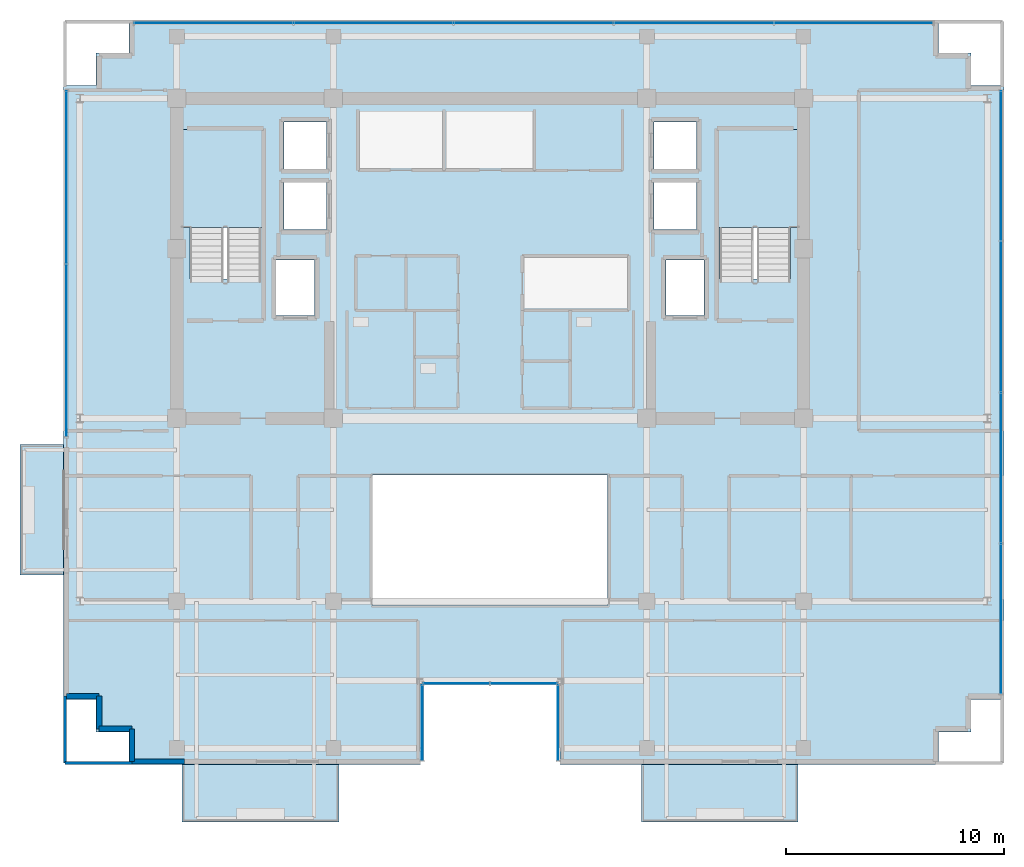
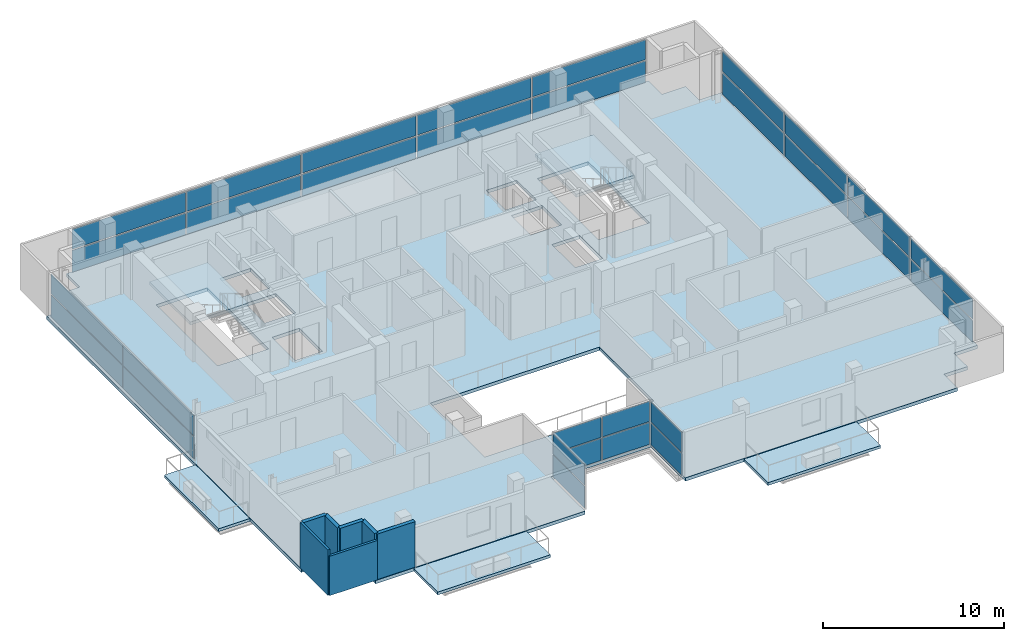
# One storey, part 14 of 21: 30 plates, 7 walls, 6 slabs, 8 elements without a shape of their own.
"""IFC4 building model written with IfcOpenShell, lengths in metres."""

from ifc_helpers import new_model, si_unit, direction, frame, frame_2d, origin, origin_2d, place, context, subcontext, project, spatial, polyline, rectangle, outline, extrude, source, transform, mapped, material, layer, layer_set, type_object, element, aggregate, save


model = new_model("IFC4")

# Units and contexts
model_context = context("Model", 3, precision=1e-05, world=origin(), true_north=direction((0.0, 1.0)))
body_context = subcontext(model_context, "Body", "Model", "MODEL_VIEW")
ifc_project = project(units=[si_unit("LENGTHUNIT", "METRE"), si_unit("AREAUNIT", "SQUARE_METRE"), si_unit("VOLUMEUNIT", "CUBIC_METRE"), si_unit("PLANEANGLEUNIT", "RADIAN"), si_unit("MASSUNIT", "GRAM", prefix="KILO")], contexts=[model_context])

# Site, building, storey
site_placement = place(None, origin())
site = spatial("IfcSite", under=ifc_project, at=site_placement, CompositionType="ELEMENT")
building_placement = place(site_placement, origin())
building = spatial("IfcBuilding", under=site, at=building_placement, Name="Zarnakvel Exchange Tower", CompositionType="ELEMENT")
storey_placement = place(building_placement, frame((0.0, 0.0, 241.89990234375)))
storey = spatial("IfcBuildingStorey", under=building, at=storey_placement, Name="L68", CompositionType="ELEMENT", Elevation=241.89990234375)

# Stair, slab
ifc_material_1 = material(Name="Concrete C40/50", Category="concrete")
stair_type = type_object("IfcStairType", Name="STR-01", PredefinedType="HALF_TURN_STAIR", material=ifc_material_1)
stair_1_placement = place(storey_placement, origin())
stair_1 = element("IfcStair", 1, at=stair_1_placement, inside=storey, type_object=stair_type, Name="L68 Protected Core Exit Stair ST-01", PredefinedType="HALF_TURN_STAIR")
ifc_layer_1 = layer(ifc_material_1, 0.199951171875)
ifc_layer_set_1 = layer_set([ifc_layer_1], Name="Concrete C40/50")
slab_type_1 = type_object("IfcSlabType", Name="LDG-01", PredefinedType="LANDING", material=ifc_layer_set_1)
slab_1_placement = place(storey_placement, frame((0.0, 0.0, 1.4501953125)))
slab_1 = element("IfcSlab", 2, at=slab_1_placement, type_object=slab_type_1, Name="ST-01 landing 1", PredefinedType="LANDING", context=body_context, shape_type="SweptSolid", body=[
    extrude(outline(polyline([(-14.18994140625, 7.570068359375), (-10.4599609375, 7.570068359375), (-10.4599609375, 12.080078125), (-14.18994140625, 12.080078125), (-14.18994140625, 7.570068359375)])), origin(), (0.0, 0.0, 1.0), 0.199951171875),
])
aggregate(stair_1, [slab_1])

stair_2_placement = place(storey_placement, origin())
stair_2 = element("IfcStair", 3, at=stair_2_placement, inside=storey, type_object=stair_type, Name="L68 Protected Core Exit Stair ST-02", PredefinedType="HALF_TURN_STAIR")
slab_2_placement = place(storey_placement, frame((0.0, 0.0, 1.4501953125)))
slab_2 = element("IfcSlab", 4, at=slab_2_placement, type_object=slab_type_1, Name="ST-02 landing 1", PredefinedType="LANDING", context=body_context, shape_type="SweptSolid", body=[
    extrude(outline(polyline([(10.4599609375, 7.570068359375), (14.18994140625, 7.570068359375), (14.18994140625, 12.080078125), (10.4599609375, 12.080078125), (10.4599609375, 7.570068359375)])), origin(), (0.0, 0.0, 1.0), 0.199951171875),
])
aggregate(stair_2, [slab_2])

# Slabs
ifc_layer_2 = layer(ifc_material_1, 0.22509765625)
ifc_layer_set_2 = layer_set([ifc_layer_2], Name="Concrete C40/50")
slab_type_2 = type_object("IfcSlabType", Name="SL-04", PredefinedType="FLOOR", material=ifc_layer_set_2)
slab_3_placement = place(storey_placement, frame((0.0, 0.0, -0.224853515625)))
element("IfcSlab", 5, at=slab_3_placement, inside=storey, type_object=slab_type_2, Name="L68 Primary Structural Floor Slab", PredefinedType="FLOOR", context=body_context, shape_type="SweptSolid", body=[
    extrude(outline(polyline([(-19.60009765625, -14.10009765625), (-18.10009765625, -14.10009765625), (-18.10009765625, -15.60009765625), (-16.60009765625, -15.60009765625), (-16.60009765625, -17.10009765625), (-3.199951171875, -17.10009765625), (-3.199951171875, -13.300048828125), (3.199951171875, -13.300048828125), (3.199951171875, -17.10009765625), (20.60009765625, -17.10009765625), (20.60009765625, -15.60009765625), (22.10009765625, -15.60009765625), (22.10009765625, -14.10009765625), (23.60009765625, -14.10009765625), (23.60009765625, 14.10009765625), (22.10009765625, 14.10009765625), (22.10009765625, 15.60009765625), (20.60009765625, 15.60009765625), (20.60009765625, 17.10009765625), (-16.60009765625, 17.10009765625), (-16.60009765625, 15.60009765625), (-18.10009765625, 15.60009765625), (-18.10009765625, 14.10009765625), (-19.60009765625, 14.10009765625), (-19.60009765625, -14.10009765625)]), holes=[polyline([(-5.39990234375, -9.800048828125), (5.39990234375, -9.800048828125), (5.39990234375, -3.800048828125), (-5.39990234375, -3.800048828125), (-5.39990234375, -9.800048828125)]), polyline([(-13.800048828125, 5.2099609375), (-10.5400390625, 5.2099609375), (-10.5400390625, 12.0), (-13.800048828125, 12.0), (-13.800048828125, 5.2099609375)]), polyline([(10.5400390625, 5.2099609375), (13.800048828125, 5.2099609375), (13.800048828125, 12.0), (10.5400390625, 12.0), (10.5400390625, 5.2099609375)]), polyline([(-9.830078125, 3.52001953125), (-8.070068359375, 3.52001953125), (-8.070068359375, 6.080078125), (-9.830078125, 6.080078125), (-9.830078125, 3.52001953125)]), polyline([(8.070068359375, 3.52001953125), (9.830078125, 3.52001953125), (9.830078125, 6.080078125), (8.070068359375, 6.080078125), (8.070068359375, 3.52001953125)]), polyline([(-9.47998046875, 7.469970703125), (-7.52001953125, 7.469970703125), (-7.52001953125, 9.6298828125), (-9.47998046875, 9.6298828125), (-9.47998046875, 7.469970703125)]), polyline([(-9.47998046875, 10.27001953125), (-7.52001953125, 10.27001953125), (-7.52001953125, 12.429931640625), (-9.47998046875, 12.429931640625), (-9.47998046875, 10.27001953125)]), polyline([(7.52001953125, 7.469970703125), (9.47998046875, 7.469970703125), (9.47998046875, 9.6298828125), (7.52001953125, 9.6298828125), (7.52001953125, 7.469970703125)]), polyline([(7.52001953125, 10.27001953125), (9.47998046875, 10.27001953125), (9.47998046875, 12.429931640625), (7.52001953125, 12.429931640625), (7.52001953125, 10.27001953125)])]), origin(), (0.0, 0.0, 1.0), 0.224853515625),
])
ifc_layer_3 = layer(ifc_material_1, 0.18994140625)
ifc_layer_set_3 = layer_set([ifc_layer_3], Name="Concrete C40/50")
slab_type_3 = type_object("IfcSlabType", Name="SL-08", PredefinedType="USERDEFINED", material=ifc_layer_set_3)
slab_4_placement = place(storey_placement, frame((0.0, 0.0, -0.224853515625)))
element("IfcSlab", 6, at=slab_4_placement, inside=storey, type_object=slab_type_3, Name="L68 Planted Loggia Balcony Slab BAL-L68-SW", ObjectType="BALCONY", PredefinedType="USERDEFINED", context=body_context, shape_type="SweptSolid", body=[
    extrude(outline(polyline([(-14.14990234375, -19.75), (-6.949951171875, -19.75), (-6.949951171875, -17.10009765625), (-14.14990234375, -17.10009765625), (-14.14990234375, -19.75)])), origin(), (0.0, 0.0, 1.0), 0.18994140625),
])
slab_5_placement = place(storey_placement, frame((0.0, 0.0, -0.224853515625)))
element("IfcSlab", 7, at=slab_5_placement, inside=storey, type_object=slab_type_3, Name="L68 Planted Loggia Balcony Slab BAL-L68-SE", ObjectType="BALCONY", PredefinedType="USERDEFINED", context=body_context, shape_type="SweptSolid", body=[
    extrude(outline(polyline([(6.949951171875, -19.75), (14.14990234375, -19.75), (14.14990234375, -17.10009765625), (6.949951171875, -17.10009765625), (6.949951171875, -19.75)])), origin(), (0.0, 0.0, 1.0), 0.18994140625),
])
slab_6_placement = place(storey_placement, frame((0.0, 0.0, -0.224853515625)))
element("IfcSlab", 8, at=slab_6_placement, inside=storey, type_object=slab_type_3, Name="L68 Planted Loggia Balcony Slab BAL-L68-W", ObjectType="BALCONY", PredefinedType="USERDEFINED", context=body_context, shape_type="SweptSolid", body=[
    extrude(outline(polyline([(-21.60009765625, -8.39990234375), (-19.60009765625, -8.39990234375), (-19.60009765625, -2.39990234375), (-21.60009765625, -2.39990234375), (-21.60009765625, -8.39990234375)])), origin(), (0.0, 0.0, 1.0), 0.18994140625),
])

# Curtain wall, plate
ifc_material_2 = material(Name="Architectural Bronze Anodised Aluminium", Category="aluminium")
ifc_layer_4 = layer(ifc_material_2, 0.179931640625)
ifc_layer_set_4 = layer_set([ifc_layer_4], Name="Architectural Bronze Anodised Aluminium")
curtain_wall_type_1 = type_object("IfcCurtainWallType", Name="CW-05", PredefinedType="NOTDEFINED", material=ifc_layer_set_4)
curtain_wall_1_placement = place(storey_placement, origin())
curtain_wall_1 = element("IfcCurtainWall", 9, at=curtain_wall_1_placement, inside=storey, type_object=curtain_wall_type_1, Name="L68 Curtain Wall CW-L68-SLW (CW-05)", PredefinedType="NOTDEFINED")
ifc_material_3 = material(Name="Double Low-E Laminated Vision Glass", Category="glass")
ifc_layer_5 = layer(ifc_material_3, 0.02587890625)
ifc_layer_set_5 = layer_set([ifc_layer_5], Name="Double Low-E Laminated Vision Glass")
plate_type_1 = type_object("IfcPlateType", Name="CWP-05", PredefinedType="CURTAIN_PANEL", material=ifc_layer_set_5)
shared_shape_1 = source(origin(), body_context, "Body", "SweptSolid", [
    extrude(rectangle(XDim=3.4599609375, YDim=0.02587890625, at=origin_2d()), origin(), (0.0, 0.0, 1.0), 1.483642578125),
])
plate_1_placement = place(storey_placement, frame((-3.1201171875, -15.179931640625, 0.0703125), z_axis=(0.0, 0.0, 1.0), x_axis=(0.0, 1.0, 0.0)))
plate_1 = element("IfcPlate", 10, at=plate_1_placement, type_object=plate_type_1, Name="CW-05 panel 1.1", PredefinedType="CURTAIN_PANEL", context=body_context, shape_type="MappedRepresentation", body=[
    mapped(shared_shape_1, transform((0.0, 0.0, 0.0), x_axis=(1.0, 0.0, 0.0), y_axis=(0.0, 1.0, 0.0), z_axis=(0.0, 0.0, 1.0), scale=1.0)),
])

curtain_wall_2_placement = place(storey_placement, origin())
curtain_wall_2 = element("IfcCurtainWall", 11, at=curtain_wall_2_placement, inside=storey, type_object=curtain_wall_type_1, Name="L68 Curtain Wall CW-L68-SLE (CW-05)", PredefinedType="NOTDEFINED")
plate_2_placement = place(storey_placement, frame((3.1201171875, -15.179931640625, 0.0703125), z_axis=(0.0, 0.0, 1.0), x_axis=(0.0, -1.0, 0.0)))
plate_2 = element("IfcPlate", 12, at=plate_2_placement, type_object=plate_type_1, Name="CW-05 panel 1.1", PredefinedType="CURTAIN_PANEL", context=body_context, shape_type="MappedRepresentation", body=[
    mapped(shared_shape_1, transform((0.0, 0.0, 0.0), x_axis=(1.0, 0.0, 0.0), y_axis=(0.0, 1.0, 0.0), z_axis=(0.0, 0.0, 1.0), scale=1.0)),
])

# Plate
shared_shape_2 = source(origin(), body_context, "Body", "SweptSolid", [
    extrude(rectangle(XDim=3.4599609375, YDim=0.02587890625, at=origin_2d()), origin(), (0.0, 0.0, 1.0), 1.361328125),
])
plate_3_placement = place(storey_placement, frame((-3.1201171875, -15.179931640625, 1.623779296875), z_axis=(0.0, 0.0, 1.0), x_axis=(0.0, 1.0, 0.0)))
plate_3 = element("IfcPlate", 13, at=plate_3_placement, type_object=plate_type_1, Name="CW-05 panel 1.2", PredefinedType="CURTAIN_PANEL", context=body_context, shape_type="MappedRepresentation", body=[
    mapped(shared_shape_2, transform((0.0, 0.0, 0.0), x_axis=(1.0, 0.0, 0.0), y_axis=(0.0, 1.0, 0.0), z_axis=(0.0, 0.0, 1.0), scale=1.0)),
])

aggregate(curtain_wall_1, [plate_1, plate_3])

plate_4_placement = place(storey_placement, frame((3.1201171875, -15.179931640625, 1.623779296875), z_axis=(0.0, 0.0, 1.0), x_axis=(0.0, -1.0, 0.0)))
plate_4 = element("IfcPlate", 14, at=plate_4_placement, type_object=plate_type_1, Name="CW-05 panel 1.2", PredefinedType="CURTAIN_PANEL", context=body_context, shape_type="MappedRepresentation", body=[
    mapped(shared_shape_2, transform((0.0, 0.0, 0.0), x_axis=(1.0, 0.0, 0.0), y_axis=(0.0, 1.0, 0.0), z_axis=(0.0, 0.0, 1.0), scale=1.0)),
])

aggregate(curtain_wall_2, [plate_2, plate_4])

# Curtain wall, plates
curtain_wall_3_placement = place(storey_placement, origin())
curtain_wall_3 = element("IfcCurtainWall", 15, at=curtain_wall_3_placement, inside=storey, type_object=curtain_wall_type_1, Name="L68 Curtain Wall CW-L68-SLB (CW-05)", PredefinedType="NOTDEFINED")
shared_shape_3 = source(origin(), body_context, "Body", "SweptSolid", [
    extrude(rectangle(XDim=3.014892578125, YDim=0.02587890625, at=origin_2d()), origin(), (0.0, 0.0, 1.0), 1.483642578125),
])
plate_5_placement = place(storey_placement, frame((-1.54248046875, -13.3798828125, 0.0703125), z_axis=(0.0, 0.0, 1.0), x_axis=(1.0, 0.0, 0.0)))
plate_5 = element("IfcPlate", 16, at=plate_5_placement, type_object=plate_type_1, Name="CW-05 panel 1.1", PredefinedType="CURTAIN_PANEL", context=body_context, shape_type="MappedRepresentation", body=[
    mapped(shared_shape_3, transform((0.0, 0.0, 0.0), x_axis=(1.0, 0.0, 0.0), y_axis=(0.0, 1.0, 0.0), z_axis=(0.0, 0.0, 1.0), scale=1.0)),
])
plate_6_placement = place(storey_placement, frame((1.54248046875, -13.3798828125, 0.0703125), z_axis=(0.0, 0.0, 1.0), x_axis=(1.0, 0.0, 0.0)))
plate_6 = element("IfcPlate", 17, at=plate_6_placement, type_object=plate_type_1, Name="CW-05 panel 2.1", PredefinedType="CURTAIN_PANEL", context=body_context, shape_type="MappedRepresentation", body=[
    mapped(shared_shape_3, transform((0.0, 0.0, 0.0), x_axis=(1.0, 0.0, 0.0), y_axis=(0.0, 1.0, 0.0), z_axis=(0.0, 0.0, 1.0), scale=1.0)),
])
shared_shape_4 = source(origin(), body_context, "Body", "SweptSolid", [
    extrude(rectangle(XDim=3.014892578125, YDim=0.02587890625, at=origin_2d()), origin(), (0.0, 0.0, 1.0), 1.361328125),
])
plate_7_placement = place(storey_placement, frame((-1.54248046875, -13.3798828125, 1.623779296875), z_axis=(0.0, 0.0, 1.0), x_axis=(1.0, 0.0, 0.0)))
plate_7 = element("IfcPlate", 18, at=plate_7_placement, type_object=plate_type_1, Name="CW-05 panel 1.2", PredefinedType="CURTAIN_PANEL", context=body_context, shape_type="MappedRepresentation", body=[
    mapped(shared_shape_4, transform((0.0, 0.0, 0.0), x_axis=(1.0, 0.0, 0.0), y_axis=(0.0, 1.0, 0.0), z_axis=(0.0, 0.0, 1.0), scale=1.0)),
])
plate_8_placement = place(storey_placement, frame((1.54248046875, -13.3798828125, 1.623779296875), z_axis=(0.0, 0.0, 1.0), x_axis=(1.0, 0.0, 0.0)))
plate_8 = element("IfcPlate", 19, at=plate_8_placement, type_object=plate_type_1, Name="CW-05 panel 2.2", PredefinedType="CURTAIN_PANEL", context=body_context, shape_type="MappedRepresentation", body=[
    mapped(shared_shape_4, transform((0.0, 0.0, 0.0), x_axis=(1.0, 0.0, 0.0), y_axis=(0.0, 1.0, 0.0), z_axis=(0.0, 0.0, 1.0), scale=1.0)),
])
aggregate(curtain_wall_3, [plate_5, plate_7, plate_6, plate_8])

ifc_layer_6 = layer(ifc_material_2, 0.199951171875)
ifc_layer_set_6 = layer_set([ifc_layer_6], Name="Architectural Bronze Anodised Aluminium")
curtain_wall_type_2 = type_object("IfcCurtainWallType", Name="CW-04", PredefinedType="NOTDEFINED", material=ifc_layer_set_6)
curtain_wall_4_placement = place(storey_placement, origin())
curtain_wall_4 = element("IfcCurtainWall", 20, at=curtain_wall_4_placement, inside=storey, type_object=curtain_wall_type_2, Name="L68 Curtain Wall CW-L68-E1 (CW-04)", PredefinedType="NOTDEFINED")
ifc_layer_7 = layer(ifc_material_3, 0.028076171875)
ifc_layer_set_7 = layer_set([ifc_layer_7], Name="Double Low-E Laminated Vision Glass")
plate_type_2 = type_object("IfcPlateType", Name="CWP-04", PredefinedType="CURTAIN_PANEL", material=ifc_layer_set_7)
shared_shape_5 = source(origin(), body_context, "Body", "SweptSolid", [
    extrude(rectangle(XDim=6.83740234375, YDim=0.028076171875, at=origin_2d()), origin(), (0.0, 0.0, 1.0), 1.47607421875),
])
plate_9_placement = place(storey_placement, frame((23.4599609375, -10.40625, 0.0751953125), z_axis=(0.0, 0.0, 1.0), x_axis=(0.0, 1.0, 0.0)))
plate_9 = element("IfcPlate", 21, at=plate_9_placement, type_object=plate_type_2, Name="CW-04 panel 1.1", PredefinedType="CURTAIN_PANEL", context=body_context, shape_type="MappedRepresentation", body=[
    mapped(shared_shape_5, transform((0.0, 0.0, 0.0), x_axis=(1.0, 0.0, 0.0), y_axis=(0.0, 1.0, 0.0), z_axis=(0.0, 0.0, 1.0), scale=1.0)),
])
plate_10_placement = place(storey_placement, frame((23.4599609375, 10.40625, 0.0751953125), z_axis=(0.0, 0.0, 1.0), x_axis=(0.0, 1.0, 0.0)))
plate_10 = element("IfcPlate", 22, at=plate_10_placement, type_object=plate_type_2, Name="CW-04 panel 4.1", PredefinedType="CURTAIN_PANEL", context=body_context, shape_type="MappedRepresentation", body=[
    mapped(shared_shape_5, transform((0.0, 0.0, 0.0), x_axis=(1.0, 0.0, 0.0), y_axis=(0.0, 1.0, 0.0), z_axis=(0.0, 0.0, 1.0), scale=1.0)),
])
shared_shape_6 = source(origin(), body_context, "Body", "SweptSolid", [
    extrude(rectangle(XDim=6.83740234375, YDim=0.028076171875, at=origin_2d()), origin(), (0.0, 0.0, 1.0), 1.35400390625),
])
plate_11_placement = place(storey_placement, frame((23.4599609375, -10.40625, 1.626220703125), z_axis=(0.0, 0.0, 1.0), x_axis=(0.0, 1.0, 0.0)))
plate_11 = element("IfcPlate", 23, at=plate_11_placement, type_object=plate_type_2, Name="CW-04 panel 1.2", PredefinedType="CURTAIN_PANEL", context=body_context, shape_type="MappedRepresentation", body=[
    mapped(shared_shape_6, transform((0.0, 0.0, 0.0), x_axis=(1.0, 0.0, 0.0), y_axis=(0.0, 1.0, 0.0), z_axis=(0.0, 0.0, 1.0), scale=1.0)),
])
plate_12_placement = place(storey_placement, frame((23.4599609375, 10.40625, 1.626220703125), z_axis=(0.0, 0.0, 1.0), x_axis=(0.0, 1.0, 0.0)))
plate_12 = element("IfcPlate", 24, at=plate_12_placement, type_object=plate_type_2, Name="CW-04 panel 4.2", PredefinedType="CURTAIN_PANEL", context=body_context, shape_type="MappedRepresentation", body=[
    mapped(shared_shape_6, transform((0.0, 0.0, 0.0), x_axis=(1.0, 0.0, 0.0), y_axis=(0.0, 1.0, 0.0), z_axis=(0.0, 0.0, 1.0), scale=1.0)),
])
shared_shape_7 = source(origin(), body_context, "Body", "SweptSolid", [
    extrude(rectangle(XDim=6.875, YDim=0.028076171875, at=origin_2d()), origin(), (0.0, 0.0, 1.0), 1.47607421875),
])
plate_13_placement = place(storey_placement, frame((23.4599609375, -3.47509765625, 0.0751953125), z_axis=(0.0, 0.0, 1.0), x_axis=(0.0, 1.0, 0.0)))
plate_13 = element("IfcPlate", 25, at=plate_13_placement, type_object=plate_type_2, Name="CW-04 panel 2.1", PredefinedType="CURTAIN_PANEL", context=body_context, shape_type="MappedRepresentation", body=[
    mapped(shared_shape_7, transform((0.0, 0.0, 0.0), x_axis=(1.0, 0.0, 0.0), y_axis=(0.0, 1.0, 0.0), z_axis=(0.0, 0.0, 1.0), scale=1.0)),
])
plate_14_placement = place(storey_placement, frame((23.4599609375, 3.47509765625, 0.0751953125), z_axis=(0.0, 0.0, 1.0), x_axis=(0.0, 1.0, 0.0)))
plate_14 = element("IfcPlate", 26, at=plate_14_placement, type_object=plate_type_2, Name="CW-04 panel 3.1", PredefinedType="CURTAIN_PANEL", context=body_context, shape_type="MappedRepresentation", body=[
    mapped(shared_shape_7, transform((0.0, 0.0, 0.0), x_axis=(1.0, 0.0, 0.0), y_axis=(0.0, 1.0, 0.0), z_axis=(0.0, 0.0, 1.0), scale=1.0)),
])
shared_shape_8 = source(origin(), body_context, "Body", "SweptSolid", [
    extrude(rectangle(XDim=6.875, YDim=0.028076171875, at=origin_2d()), origin(), (0.0, 0.0, 1.0), 1.35400390625),
])
plate_15_placement = place(storey_placement, frame((23.4599609375, -3.47509765625, 1.626220703125), z_axis=(0.0, 0.0, 1.0), x_axis=(0.0, 1.0, 0.0)))
plate_15 = element("IfcPlate", 27, at=plate_15_placement, type_object=plate_type_2, Name="CW-04 panel 2.2", PredefinedType="CURTAIN_PANEL", context=body_context, shape_type="MappedRepresentation", body=[
    mapped(shared_shape_8, transform((0.0, 0.0, 0.0), x_axis=(1.0, 0.0, 0.0), y_axis=(0.0, 1.0, 0.0), z_axis=(0.0, 0.0, 1.0), scale=1.0)),
])
plate_16_placement = place(storey_placement, frame((23.4599609375, 3.47509765625, 1.626220703125), z_axis=(0.0, 0.0, 1.0), x_axis=(0.0, 1.0, 0.0)))
plate_16 = element("IfcPlate", 28, at=plate_16_placement, type_object=plate_type_2, Name="CW-04 panel 3.2", PredefinedType="CURTAIN_PANEL", context=body_context, shape_type="MappedRepresentation", body=[
    mapped(shared_shape_8, transform((0.0, 0.0, 0.0), x_axis=(1.0, 0.0, 0.0), y_axis=(0.0, 1.0, 0.0), z_axis=(0.0, 0.0, 1.0), scale=1.0)),
])
aggregate(curtain_wall_4, [plate_9, plate_11, plate_13, plate_15, plate_14, plate_16, plate_10, plate_12])

curtain_wall_5_placement = place(storey_placement, origin())
curtain_wall_5 = element("IfcCurtainWall", 29, at=curtain_wall_5_placement, inside=storey, type_object=curtain_wall_type_2, Name="L68 Curtain Wall CW-L68-WN (CW-04)", PredefinedType="NOTDEFINED")
shared_shape_9 = source(origin(), body_context, "Body", "SweptSolid", [
    extrude(rectangle(XDim=7.887451171875, YDim=0.028076171875, at=origin_2d()), origin(), (0.0, 0.0, 1.0), 1.47607421875),
])
plate_17_placement = place(storey_placement, frame((-19.4599609375, 1.918701171875, 0.0751953125), z_axis=(0.0, 0.0, 1.0), x_axis=(0.0, 1.0, 0.0)))
plate_17 = element("IfcPlate", 30, at=plate_17_placement, type_object=plate_type_2, Name="CW-04 panel 1.1", PredefinedType="CURTAIN_PANEL", context=body_context, shape_type="MappedRepresentation", body=[
    mapped(shared_shape_9, transform((0.0, 0.0, 0.0), x_axis=(1.0, 0.0, 0.0), y_axis=(0.0, 1.0, 0.0), z_axis=(0.0, 0.0, 1.0), scale=1.0)),
])
plate_18_placement = place(storey_placement, frame((-19.4599609375, 9.88134765625, 0.0751953125), z_axis=(0.0, 0.0, 1.0), x_axis=(0.0, 1.0, 0.0)))
plate_18 = element("IfcPlate", 31, at=plate_18_placement, type_object=plate_type_2, Name="CW-04 panel 2.1", PredefinedType="CURTAIN_PANEL", context=body_context, shape_type="MappedRepresentation", body=[
    mapped(shared_shape_9, transform((0.0, 0.0, 0.0), x_axis=(1.0, 0.0, 0.0), y_axis=(0.0, 1.0, 0.0), z_axis=(0.0, 0.0, 1.0), scale=1.0)),
])
shared_shape_10 = source(origin(), body_context, "Body", "SweptSolid", [
    extrude(rectangle(XDim=7.887451171875, YDim=0.028076171875, at=origin_2d()), origin(), (0.0, 0.0, 1.0), 1.35400390625),
])
plate_19_placement = place(storey_placement, frame((-19.4599609375, 1.918701171875, 1.626220703125), z_axis=(0.0, 0.0, 1.0), x_axis=(0.0, 1.0, 0.0)))
plate_19 = element("IfcPlate", 32, at=plate_19_placement, type_object=plate_type_2, Name="CW-04 panel 1.2", PredefinedType="CURTAIN_PANEL", context=body_context, shape_type="MappedRepresentation", body=[
    mapped(shared_shape_10, transform((0.0, 0.0, 0.0), x_axis=(1.0, 0.0, 0.0), y_axis=(0.0, 1.0, 0.0), z_axis=(0.0, 0.0, 1.0), scale=1.0)),
])
plate_20_placement = place(storey_placement, frame((-19.4599609375, 9.88134765625, 1.626220703125), z_axis=(0.0, 0.0, 1.0), x_axis=(0.0, 1.0, 0.0)))
plate_20 = element("IfcPlate", 33, at=plate_20_placement, type_object=plate_type_2, Name="CW-04 panel 2.2", PredefinedType="CURTAIN_PANEL", context=body_context, shape_type="MappedRepresentation", body=[
    mapped(shared_shape_10, transform((0.0, 0.0, 0.0), x_axis=(1.0, 0.0, 0.0), y_axis=(0.0, 1.0, 0.0), z_axis=(0.0, 0.0, 1.0), scale=1.0)),
])
aggregate(curtain_wall_5, [plate_17, plate_19, plate_18, plate_20])

ifc_layer_8 = layer(ifc_material_2, 0.219970703125)
ifc_layer_set_8 = layer_set([ifc_layer_8], Name="Architectural Bronze Anodised Aluminium")
curtain_wall_type_3 = type_object("IfcCurtainWallType", Name="CW-03", PredefinedType="NOTDEFINED", material=ifc_layer_set_8)
curtain_wall_6_placement = place(storey_placement, origin())
curtain_wall_6 = element("IfcCurtainWall", 34, at=curtain_wall_6_placement, inside=storey, type_object=curtain_wall_type_3, Name="L68 Curtain Wall CW-L68-N1 (CW-03)", PredefinedType="NOTDEFINED")
ifc_layer_9 = layer(ifc_material_3, 0.030029296875)
ifc_layer_set_9 = layer_set([ifc_layer_9], Name="Double Low-E Laminated Vision Glass")
plate_type_3 = type_object("IfcPlateType", Name="CWP-03", PredefinedType="CURTAIN_PANEL", material=ifc_layer_set_9)
shared_shape_11 = source(origin(), body_context, "Body", "SweptSolid", [
    extrude(rectangle(XDim=7.239990234375, YDim=0.030029296875, at=origin_2d()), origin(), (0.0, 0.0, 1.0), 1.468505859375),
])
plate_21_placement = place(storey_placement, frame((-12.699951171875, 16.9599609375, 0.080078125), z_axis=(0.0, 0.0, 1.0), x_axis=(1.0, 0.0, 0.0)))
plate_21 = element("IfcPlate", 35, at=plate_21_placement, type_object=plate_type_3, Name="CW-03 panel 1.1", PredefinedType="CURTAIN_PANEL", context=body_context, shape_type="MappedRepresentation", body=[
    mapped(shared_shape_11, transform((0.0, 0.0, 0.0), x_axis=(1.0, 0.0, 0.0), y_axis=(0.0, 1.0, 0.0), z_axis=(0.0, 0.0, 1.0), scale=1.0)),
])
plate_22_placement = place(storey_placement, frame((16.699951171875, 16.9599609375, 0.080078125), z_axis=(0.0, 0.0, 1.0), x_axis=(1.0, 0.0, 0.0)))
plate_22 = element("IfcPlate", 36, at=plate_22_placement, type_object=plate_type_3, Name="CW-03 panel 5.1", PredefinedType="CURTAIN_PANEL", context=body_context, shape_type="MappedRepresentation", body=[
    mapped(shared_shape_11, transform((0.0, 0.0, 0.0), x_axis=(1.0, 0.0, 0.0), y_axis=(0.0, 1.0, 0.0), z_axis=(0.0, 0.0, 1.0), scale=1.0)),
])
shared_shape_12 = source(origin(), body_context, "Body", "SweptSolid", [
    extrude(rectangle(XDim=7.239990234375, YDim=0.030029296875, at=origin_2d()), origin(), (0.0, 0.0, 1.0), 1.346435546875),
])
plate_23_placement = place(storey_placement, frame((-12.699951171875, 16.9599609375, 1.62890625), z_axis=(0.0, 0.0, 1.0), x_axis=(1.0, 0.0, 0.0)))
plate_23 = element("IfcPlate", 37, at=plate_23_placement, type_object=plate_type_3, Name="CW-03 panel 1.2", PredefinedType="CURTAIN_PANEL", context=body_context, shape_type="MappedRepresentation", body=[
    mapped(shared_shape_12, transform((0.0, 0.0, 0.0), x_axis=(1.0, 0.0, 0.0), y_axis=(0.0, 1.0, 0.0), z_axis=(0.0, 0.0, 1.0), scale=1.0)),
])
plate_24_placement = place(storey_placement, frame((16.699951171875, 16.9599609375, 1.62890625), z_axis=(0.0, 0.0, 1.0), x_axis=(1.0, 0.0, 0.0)))
plate_24 = element("IfcPlate", 38, at=plate_24_placement, type_object=plate_type_3, Name="CW-03 panel 5.2", PredefinedType="CURTAIN_PANEL", context=body_context, shape_type="MappedRepresentation", body=[
    mapped(shared_shape_12, transform((0.0, 0.0, 0.0), x_axis=(1.0, 0.0, 0.0), y_axis=(0.0, 1.0, 0.0), z_axis=(0.0, 0.0, 1.0), scale=1.0)),
])
shared_shape_13 = source(origin(), body_context, "Body", "SweptSolid", [
    extrude(rectangle(XDim=7.280029296875, YDim=0.030029296875, at=origin_2d()), origin(), (0.0, 0.0, 1.0), 1.468505859375),
])
plate_25_placement = place(storey_placement, frame((-5.360107421875, 16.9599609375, 0.080078125), z_axis=(0.0, 0.0, 1.0), x_axis=(1.0, 0.0, 0.0)))
plate_25 = element("IfcPlate", 39, at=plate_25_placement, type_object=plate_type_3, Name="CW-03 panel 2.1", PredefinedType="CURTAIN_PANEL", context=body_context, shape_type="MappedRepresentation", body=[
    mapped(shared_shape_13, transform((0.0, 0.0, 0.0), x_axis=(1.0, 0.0, 0.0), y_axis=(0.0, 1.0, 0.0), z_axis=(0.0, 0.0, 1.0), scale=1.0)),
])
plate_26_placement = place(storey_placement, frame((2.0, 16.9599609375, 0.080078125), z_axis=(0.0, 0.0, 1.0), x_axis=(1.0, 0.0, 0.0)))
plate_26 = element("IfcPlate", 40, at=plate_26_placement, type_object=plate_type_3, Name="CW-03 panel 3.1", PredefinedType="CURTAIN_PANEL", context=body_context, shape_type="MappedRepresentation", body=[
    mapped(shared_shape_13, transform((0.0, 0.0, 0.0), x_axis=(1.0, 0.0, 0.0), y_axis=(0.0, 1.0, 0.0), z_axis=(0.0, 0.0, 1.0), scale=1.0)),
])
plate_27_placement = place(storey_placement, frame((9.360107421875, 16.9599609375, 0.080078125), z_axis=(0.0, 0.0, 1.0), x_axis=(1.0, 0.0, 0.0)))
plate_27 = element("IfcPlate", 41, at=plate_27_placement, type_object=plate_type_3, Name="CW-03 panel 4.1", PredefinedType="CURTAIN_PANEL", context=body_context, shape_type="MappedRepresentation", body=[
    mapped(shared_shape_13, transform((0.0, 0.0, 0.0), x_axis=(1.0, 0.0, 0.0), y_axis=(0.0, 1.0, 0.0), z_axis=(0.0, 0.0, 1.0), scale=1.0)),
])
shared_shape_14 = source(origin(), body_context, "Body", "SweptSolid", [
    extrude(rectangle(XDim=7.280029296875, YDim=0.030029296875, at=origin_2d()), origin(), (0.0, 0.0, 1.0), 1.346435546875),
])
plate_28_placement = place(storey_placement, frame((-5.360107421875, 16.9599609375, 1.62890625), z_axis=(0.0, 0.0, 1.0), x_axis=(1.0, 0.0, 0.0)))
plate_28 = element("IfcPlate", 42, at=plate_28_placement, type_object=plate_type_3, Name="CW-03 panel 2.2", PredefinedType="CURTAIN_PANEL", context=body_context, shape_type="MappedRepresentation", body=[
    mapped(shared_shape_14, transform((0.0, 0.0, 0.0), x_axis=(1.0, 0.0, 0.0), y_axis=(0.0, 1.0, 0.0), z_axis=(0.0, 0.0, 1.0), scale=1.0)),
])
plate_29_placement = place(storey_placement, frame((2.0, 16.9599609375, 1.62890625), z_axis=(0.0, 0.0, 1.0), x_axis=(1.0, 0.0, 0.0)))
plate_29 = element("IfcPlate", 43, at=plate_29_placement, type_object=plate_type_3, Name="CW-03 panel 3.2", PredefinedType="CURTAIN_PANEL", context=body_context, shape_type="MappedRepresentation", body=[
    mapped(shared_shape_14, transform((0.0, 0.0, 0.0), x_axis=(1.0, 0.0, 0.0), y_axis=(0.0, 1.0, 0.0), z_axis=(0.0, 0.0, 1.0), scale=1.0)),
])
plate_30_placement = place(storey_placement, frame((9.360107421875, 16.9599609375, 1.62890625), z_axis=(0.0, 0.0, 1.0), x_axis=(1.0, 0.0, 0.0)))
plate_30 = element("IfcPlate", 44, at=plate_30_placement, type_object=plate_type_3, Name="CW-03 panel 4.2", PredefinedType="CURTAIN_PANEL", context=body_context, shape_type="MappedRepresentation", body=[
    mapped(shared_shape_14, transform((0.0, 0.0, 0.0), x_axis=(1.0, 0.0, 0.0), y_axis=(0.0, 1.0, 0.0), z_axis=(0.0, 0.0, 1.0), scale=1.0)),
])
aggregate(curtain_wall_6, [plate_21, plate_23, plate_25, plate_28, plate_26, plate_29, plate_27, plate_30, plate_22, plate_24])

# Walls
ifc_material_4 = material(Name="Precast concrete C40/50", Category="concrete")
ifc_layer_10 = layer(ifc_material_4, 0.239990234375)
ifc_layer_set_10 = layer_set([ifc_layer_10], Name="Precast concrete C40/50")
wall_type_1 = type_object("IfcWallType", Name="EW-02", PredefinedType="SOLIDWALL", material=ifc_layer_set_10)
wall_1_placement = place(storey_placement, frame((-16.4599609375, -16.9599609375, 0.0), z_axis=(0.0, 0.0, 1.0), x_axis=(1.0, 0.0, 0.0)))
element("IfcWall", 45, at=wall_1_placement, inside=storey, type_object=wall_type_1, Name="L68 Exterior Precast Spandrel Wall EWC-L68-22 (EW-02)", PredefinedType="SOLIDWALL", context=body_context, shape_type="SweptSolid", body=[
    extrude(rectangle(XDim=2.409912109375, YDim=0.239990234375, at=frame_2d((1.205078125, 0.0))), origin(), (0.0, 0.0, 1.0), 3.0751953125),
])
for number, where, z_axis, x_axis, name in (
    (46, (-16.4599609375, -15.4599609375, 0.0), (0.0, 0.0, 1.0), (0.0, -1.0, 0.0), "L68 Exterior Precast Spandrel Wall EWC-L68-23 (EW-02)"),
    (47, (-17.9599609375, -15.4599609375, 0.0), (0.0, 0.0, 1.0), (1.0, 0.0, 0.0), "L68 Exterior Precast Spandrel Wall EWC-L68-24 (EW-02)"),
    (48, (-17.9599609375, -13.9599609375, 0.0), (0.0, 0.0, 1.0), (0.0, -1.0, 0.0), "L68 Exterior Precast Spandrel Wall EWC-L68-25 (EW-02)"),
    (49, (-19.4599609375, -13.9599609375, 0.0), (0.0, 0.0, 1.0), (1.0, 0.0, 0.0), "L68 Exterior Precast Spandrel Wall EWC-L68-26 (EW-02)"),
):
    element("IfcWall", number, at=place(storey_placement, frame(where, z_axis=z_axis, x_axis=x_axis)), inside=storey, type_object=wall_type_1, Name=name, PredefinedType="SOLIDWALL", context=body_context, shape_type="SweptSolid", body=[
        extrude(rectangle(XDim=1.5, YDim=0.239990234375, at=frame_2d((0.75, 0.0))), origin(), (0.0, 0.0, 1.0), 3.0751953125),
    ])
ifc_material_5 = material(Name="Fire-Rated Gypsum Stud Partition", Category="gypsum")
ifc_layer_11 = layer(ifc_material_5, 0.14990234375)
ifc_layer_set_11 = layer_set([ifc_layer_11], Name="Fire-Rated Gypsum Stud Partition")
wall_type_2 = type_object("IfcWallType", Name="PT-01", PredefinedType="PARTITIONING", material=ifc_layer_set_11)
wall_2_placement = place(storey_placement, frame((-16.4599609375, -17.030029296875, 0.0), z_axis=(0.0, 0.0, 1.0), x_axis=(-1.0, 0.0, 0.0)))
element("IfcWall", 50, at=wall_2_placement, inside=storey, type_object=wall_type_2, Name="L68 Partition Wall PWALL-L68-048 (PT-01)", PredefinedType="PARTITIONING", context=body_context, shape_type="SweptSolid", body=[
    extrude(rectangle(XDim=3.070068359375, YDim=0.14990234375, at=frame_2d((1.53515625, 0.0))), origin(), (0.0, 0.0, 1.0), 2.6650390625),
])
wall_3_placement = place(storey_placement, frame((-19.530029296875, -17.030029296875, 0.0), z_axis=(0.0, 0.0, 1.0), x_axis=(0.0, 1.0, 0.0)))
element("IfcWall", 51, at=wall_3_placement, inside=storey, type_object=wall_type_2, Name="L68 Partition Wall PWALL-L68-050 (PT-01)", PredefinedType="PARTITIONING", context=body_context, shape_type="SweptSolid", body=[
    extrude(rectangle(XDim=3.070068359375, YDim=0.14990234375, at=frame_2d((1.53515625, 0.0))), origin(), (0.0, 0.0, 1.0), 3.0751953125),
])

save(model, "model.ifc")
